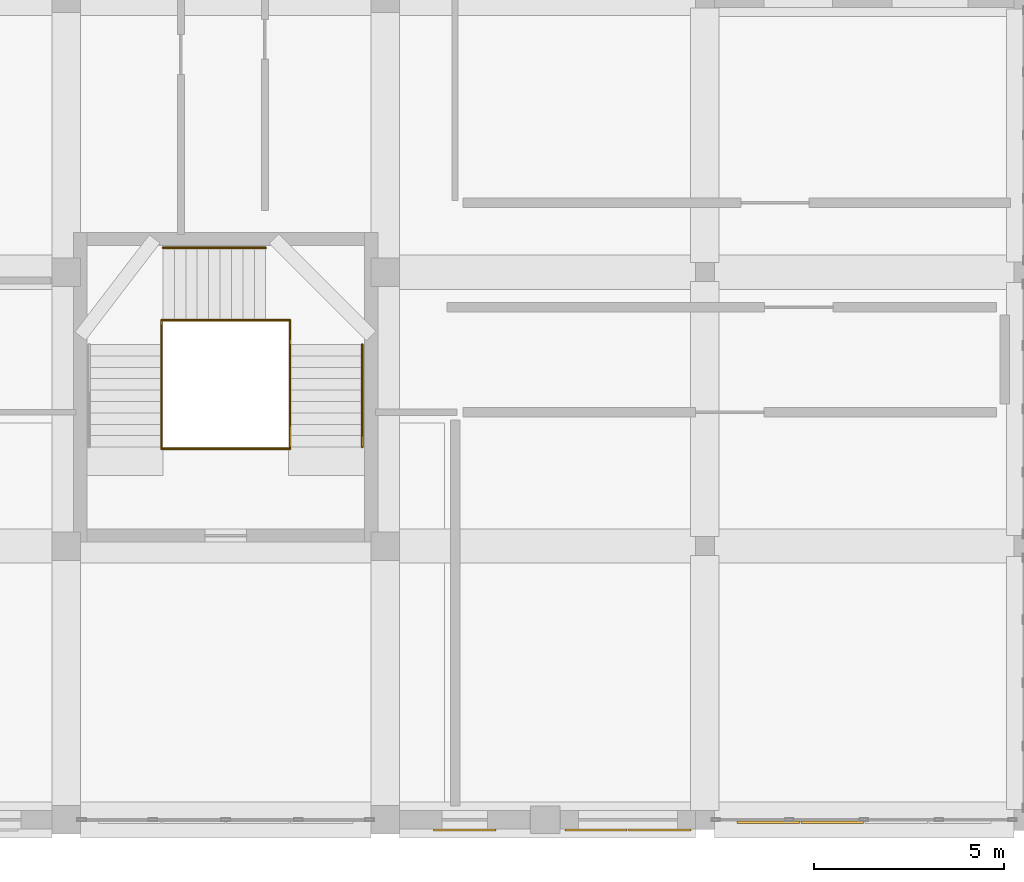
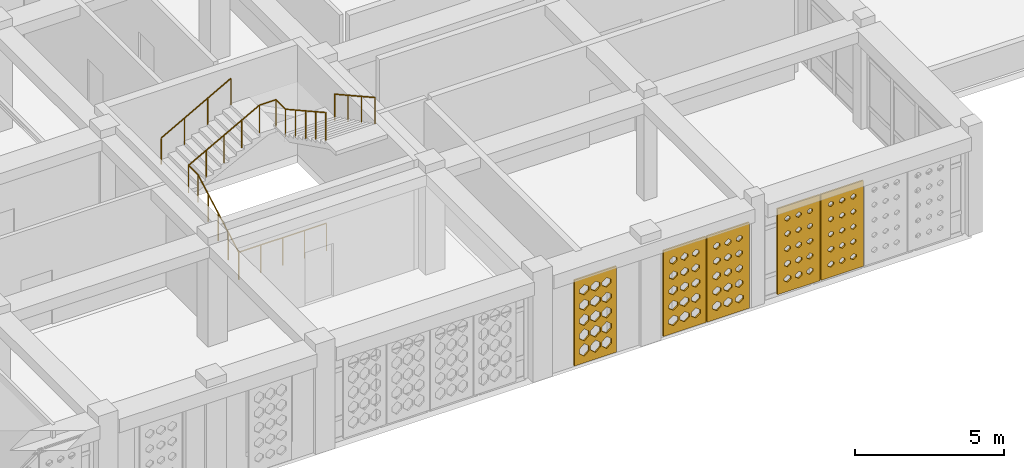
# One storey, part 106 of 111: 6 railings, 5 coverings.
"""IFC4 building model written with IfcOpenShell, lengths in metres."""

from ifc_helpers import new_model, si_unit, derived_unit, direction, frame, origin, origin_2d, place, context, subcontext, project, spatial, polyline, circle, outline, extrude, material, layer, layer_set, type_object, element, save


model = new_model("IFC4")

# Units and contexts
model_context = context("Model", 3, precision=1e-05, world=origin(), true_north=direction((0.0, 1.0)))
body_context = subcontext(model_context, "Body", "Model", "MODEL_VIEW")
ifc_project = project(units=[si_unit("LENGTHUNIT", "METRE"), si_unit("AREAUNIT", "SQUARE_METRE"), si_unit("VOLUMEUNIT", "CUBIC_METRE"), si_unit("PLANEANGLEUNIT", "RADIAN"), si_unit("MASSUNIT", "GRAM", prefix="KILO"), derived_unit("THERMALTRANSMITTANCEUNIT", [(si_unit("POWERUNIT", "WATT"), 1), (si_unit("LENGTHUNIT", "METRE"), -2), (si_unit("THERMODYNAMICTEMPERATUREUNIT", "KELVIN"), -1)])], contexts=[model_context])

# Site, building, storey
site_placement = place(None, origin())
site = spatial("IfcSite", under=ifc_project, at=site_placement, CompositionType="ELEMENT")
building_placement = place(site_placement, origin())
building = spatial("IfcBuilding", under=site, at=building_placement, Name="Veybourne Emporium", CompositionType="ELEMENT")
storey_placement = place(building_placement, frame((0.0, 0.0, 9.89990234375)))
storey = spatial("IfcBuildingStorey", under=building, at=storey_placement, Name="L02", CompositionType="ELEMENT", Elevation=9.89990234375)

# Railings
ifc_material_1 = material(Name="Brushed Stainless Steel", Category="steel")
railing_type_1 = type_object("IfcRailingType", Name="Guard_GR-01", PredefinedType="GUARDRAIL", material=ifc_material_1)
railing_1_placement = place(storey_placement, frame((128.510009765625, 9.800048828125, 0.0)))
element("IfcRailing", 1, at=railing_1_placement, inside=storey, type_object=railing_type_1, Name="L02 ST-06 stair guard 1", PredefinedType="GUARDRAIL", context=body_context, shape_type="SweptSolid", body=[
    extrude(circle(Radius=0.02392578125, at=origin_2d()), frame((0.0, 0.0, 1.1259765625), z_axis=(0.0, 0.87415354758, 0.485649642493), x_axis=(-1.0, 0.0, 0.0)), (0.0, 0.0, 1.0), 3.088623046875),
    extrude(circle(Radius=0.02392578125, at=origin_2d()), frame((0.0, 2.699951171875, 2.6259765625), z_axis=(0.0, 1.0, 0.0), x_axis=(-1.0, 0.0, 0.0)), (0.0, 0.0, 1.0), 0.639892578125),
    extrude(circle(Radius=0.02099609375, at=origin_2d()), origin(), (0.0, 0.0, 1.0), 1.101806640625),
    extrude(circle(Radius=0.02099609375, at=origin_2d()), frame((0.0, 0.675048828125, 0.375)), (0.0, 0.0, 1.0), 1.101806640625),
    extrude(circle(Radius=0.02099609375, at=origin_2d()), frame((0.0, 1.35009765625, 0.75)), (0.0, 0.0, 1.0), 1.101806640625),
    extrude(circle(Radius=0.02099609375, at=origin_2d()), frame((0.0, 2.02490234375, 1.125)), (0.0, 0.0, 1.0), 1.101806640625),
    extrude(circle(Radius=0.02099609375, at=origin_2d()), frame((0.0, 2.699951171875, 1.5)), (0.0, 0.0, 1.0), 1.101806640625),
    extrude(circle(Radius=0.02099609375, at=origin_2d()), frame((0.0, 3.33984375, 1.5)), (0.0, 0.0, 1.0), 1.101806640625),
])
railing_2_placement = place(storey_placement, frame((128.510009765625, 13.139892578125, 1.5)))
element("IfcRailing", 2, at=railing_2_placement, inside=storey, type_object=railing_type_1, Name="L02 ST-06 stair guard 2", PredefinedType="GUARDRAIL", context=body_context, shape_type="SweptSolid", body=[
    extrude(circle(Radius=0.02392578125, at=origin_2d()), frame((0.0, 0.0, 1.1259765625), z_axis=(0.87715976088, 0.0, 0.480198660861), x_axis=(0.0, 1.0, 0.0)), (0.0, 0.0, 1.0), 3.123779296875),
    extrude(circle(Radius=0.02392578125, at=origin_2d()), frame((2.739990234375, 0.0, 2.6259765625), z_axis=(1.0, 0.0, 0.0), x_axis=(0.0, 1.0, 0.0)), (0.0, 0.0, 1.0), 0.639892578125),
    extrude(circle(Radius=0.02099609375, at=origin_2d()), origin(), (0.0, 0.0, 1.0), 1.101806640625),
    extrude(circle(Radius=0.02099609375, at=origin_2d()), frame((0.68505859375, 0.0, 0.375)), (0.0, 0.0, 1.0), 1.101806640625),
    extrude(circle(Radius=0.02099609375, at=origin_2d()), frame((1.3701171875, 0.0, 0.75)), (0.0, 0.0, 1.0), 1.101806640625),
    extrude(circle(Radius=0.02099609375, at=origin_2d()), frame((2.054931640625, 0.0, 1.125)), (0.0, 0.0, 1.0), 1.101806640625),
    extrude(circle(Radius=0.02099609375, at=origin_2d()), frame((2.739990234375, 0.0, 1.5)), (0.0, 0.0, 1.0), 1.101806640625),
    extrude(circle(Radius=0.02099609375, at=origin_2d()), frame((3.3798828125, 0.0, 1.5)), (0.0, 0.0, 1.0), 1.101806640625),
])
railing_3_placement = place(storey_placement, frame((131.889892578125, 13.139892578125, 3.0)))
element("IfcRailing", 3, at=railing_3_placement, inside=storey, type_object=railing_type_1, Name="L02 ST-06 stair guard 3", PredefinedType="GUARDRAIL", context=body_context, shape_type="SweptSolid", body=[
    extrude(circle(Radius=0.02392578125, at=origin_2d()), frame((0.0, 0.0, 1.1259765625), z_axis=(0.0, -1.0, 0.0), x_axis=(1.0, 0.0, 0.0)), (0.0, 0.0, 1.0), 0.639892578125),
    extrude(circle(Radius=0.02392578125, at=origin_2d()), frame((0.0, -0.639892578125, 1.1259765625), z_axis=(0.0, -0.87415354758, 0.485649642493), x_axis=(1.0, 0.0, 0.0)), (0.0, 0.0, 1.0), 3.088623046875),
    extrude(circle(Radius=0.02099609375, at=origin_2d()), origin(), (0.0, 0.0, 1.0), 1.101806640625),
    extrude(circle(Radius=0.02099609375, at=origin_2d()), frame((0.0, -0.639892578125, 0.0)), (0.0, 0.0, 1.0), 1.101806640625),
    extrude(circle(Radius=0.02099609375, at=origin_2d()), frame((0.0, -1.31494140625, 0.375)), (0.0, 0.0, 1.0), 1.101806640625),
    extrude(circle(Radius=0.02099609375, at=origin_2d()), frame((0.0, -1.98974609375, 0.75)), (0.0, 0.0, 1.0), 1.101806640625),
    extrude(circle(Radius=0.02099609375, at=origin_2d()), frame((0.0, -2.664794921875, 1.125)), (0.0, 0.0, 1.0), 1.101806640625),
    extrude(circle(Radius=0.02099609375, at=origin_2d()), frame((0.0, -3.33984375, 1.5)), (0.0, 0.0, 1.0), 1.101806640625),
])
railing_4_placement = place(storey_placement, frame((128.510009765625, 9.760009765625, 0.0)))
element("IfcRailing", 4, at=railing_4_placement, inside=storey, type_object=railing_type_1, Name="L02 ST-06 stair guard 4", PredefinedType="GUARDRAIL", context=body_context, shape_type="SweptSolid", body=[
    extrude(circle(Radius=0.02392578125, at=origin_2d()), frame((0.0, 0.0, 1.1259765625), z_axis=(1.0, 0.0, 0.0), x_axis=(0.0, 1.0, 0.0)), (0.0, 0.0, 1.0), 3.3798828125),
    extrude(circle(Radius=0.02099609375, at=origin_2d()), origin(), (0.0, 0.0, 1.0), 1.101806640625),
    extrude(circle(Radius=0.02099609375, at=origin_2d()), frame((0.844970703125, 0.0, 0.0)), (0.0, 0.0, 1.0), 1.101806640625),
    extrude(circle(Radius=0.02099609375, at=origin_2d()), frame((1.68994140625, 0.0, 0.0)), (0.0, 0.0, 1.0), 1.101806640625),
    extrude(circle(Radius=0.02099609375, at=origin_2d()), frame((2.534912109375, 0.0, 0.0)), (0.0, 0.0, 1.0), 1.101806640625),
    extrude(circle(Radius=0.02099609375, at=origin_2d()), frame((3.3798828125, 0.0, 0.0)), (0.0, 0.0, 1.0), 1.101806640625),
])
railing_type_2 = type_object("IfcRailingType", Name="Handrail_HR-01", PredefinedType="HANDRAIL", material=ifc_material_1)
railing_5_placement = place(storey_placement, frame((128.550048828125, 15.0400390625, 1.650146484375)))
element("IfcRailing", 5, at=railing_5_placement, inside=storey, type_object=railing_type_2, Name="L02 ST-06 pitch handrail 2", PredefinedType="HANDRAIL", context=body_context, shape_type="SweptSolid", body=[
    extrude(circle(Radius=0.02392578125, at=origin_2d()), frame((0.0, 0.0, 0.92578125), z_axis=(0.87415354758, 0.0, 0.485649642493), x_axis=(0.0, 1.0, 0.0)), (0.0, 0.0, 1.0), 3.088623046875),
    extrude(circle(Radius=0.02099609375, at=origin_2d()), frame((0.0, 0.0, -0.14990234375)), (0.0, 0.0, 1.0), 1.0517578125),
    extrude(circle(Radius=0.02099609375, at=origin_2d()), frame((0.89990234375, 0.0, 0.35009765625)), (0.0, 0.0, 1.0), 1.0517578125),
    extrude(circle(Radius=0.02099609375, at=origin_2d()), frame((1.800048828125, 0.0, 0.85009765625)), (0.0, 0.0, 1.0), 1.0517578125),
    extrude(circle(Radius=0.02099609375, at=origin_2d()), frame((2.699951171875, 0.0, 1.35009765625)), (0.0, 0.0, 1.0), 1.0517578125),
])
railing_6_placement = place(storey_placement, frame((133.7900390625, 12.5, 3.150146484375)))
element("IfcRailing", 6, at=railing_6_placement, inside=storey, type_object=railing_type_2, Name="L02 ST-06 pitch handrail 3", PredefinedType="HANDRAIL", context=body_context, shape_type="SweptSolid", body=[
    extrude(circle(Radius=0.02392578125, at=origin_2d()), frame((0.0, 0.0, 0.92578125), z_axis=(0.0, -0.87415354758, 0.485649642493), x_axis=(1.0, 0.0, 0.0)), (0.0, 0.0, 1.0), 3.088623046875),
    extrude(circle(Radius=0.02099609375, at=origin_2d()), frame((0.0, 0.0, -0.14990234375)), (0.0, 0.0, 1.0), 1.0517578125),
    extrude(circle(Radius=0.02099609375, at=origin_2d()), frame((0.0, -0.89990234375, 0.35009765625)), (0.0, 0.0, 1.0), 1.0517578125),
    extrude(circle(Radius=0.02099609375, at=origin_2d()), frame((0.0, -1.800048828125, 0.85009765625)), (0.0, 0.0, 1.0), 1.0517578125),
    extrude(circle(Radius=0.02099609375, at=origin_2d()), frame((0.0, -2.699951171875, 1.35009765625)), (0.0, 0.0, 1.0), 1.0517578125),
])

# Coverings
ifc_material_2 = material(Name="Warm-White Perforated Aluminium Screen Alloy", Category="aluminium")
ifc_layer_1 = layer(ifc_material_2, 0.06005859375)
ifc_layer_set_1 = layer_set([ifc_layer_1], Name="Warm-White Perforated Aluminium Screen Alloy")
covering_type_1 = type_object("IfcCoveringType", Name="WaveScreen_SCR-01", PredefinedType="CLADDING", material=ifc_layer_set_1)
covering_1_placement = place(storey_placement, frame((141.614990234375, -0.298095703125, 1.815185546875), z_axis=(0.0, 1.0, 0.0), x_axis=(-1.0, 0.0, 0.0)))
element("IfcCovering", 7, at=covering_1_placement, inside=storey, type_object=covering_type_1, Name="L02 wave-perforated aluminium screen SCR-01 (69A.1)", PredefinedType="CLADDING", context=body_context, shape_type="SweptSolid", body=[
    extrude(outline(polyline([(-0.81982421875, -1.7548828125), (0.81982421875, -1.7548828125), (0.81982421875, 1.7548828125), (-0.81982421875, 1.7548828125), (-0.81982421875, -1.7548828125)]), holes=[polyline([(-0.433349609375, -1.050537109375), (-0.278076171875, -1.1640625), (-0.278076171875, -1.2919921875), (-0.433349609375, -1.405517578125), (-0.588623046875, -1.2919921875), (-0.588623046875, -1.1640625), (-0.433349609375, -1.050537109375)]), polyline([(-0.433349609375, -0.4501953125), (-0.289306640625, -0.554931640625), (-0.289306640625, -0.673095703125), (-0.433349609375, -0.77783203125), (-0.577392578125, -0.673095703125), (-0.577392578125, -0.554931640625), (-0.433349609375, -0.4501953125)]), polyline([(-0.433349609375, 0.151123046875), (-0.2998046875, 0.054443359375), (-0.2998046875, -0.054443359375), (-0.433349609375, -0.151123046875), (-0.56689453125, -0.054443359375), (-0.56689453125, 0.054443359375), (-0.433349609375, 0.151123046875)]), polyline([(-0.433349609375, 0.75341796875), (-0.30908203125, 0.664306640625), (-0.30908203125, 0.563720703125), (-0.433349609375, 0.474609375), (-0.557373046875, 0.563720703125), (-0.557373046875, 0.664306640625), (-0.433349609375, 0.75341796875)]), polyline([(-0.433349609375, 1.357421875), (-0.3173828125, 1.274658203125), (-0.3173828125, 1.181396484375), (-0.433349609375, 1.0986328125), (-0.54931640625, 1.181396484375), (-0.54931640625, 1.274658203125), (-0.433349609375, 1.357421875)]), polyline([(0.0, -1.044189453125), (0.160400390625, -1.161865234375), (0.160400390625, -1.294189453125), (0.0, -1.411865234375), (-0.160400390625, -1.294189453125), (-0.160400390625, -1.161865234375), (0.0, -1.044189453125)]), polyline([(0.0, -0.444091796875), (0.149169921875, -0.552734375), (0.149169921875, -0.67529296875), (0.0, -0.783935546875), (-0.149169921875, -0.67529296875), (-0.149169921875, -0.552734375), (0.0, -0.444091796875)]), polyline([(0.0, 0.15673828125), (0.13818359375, 0.056396484375), (0.13818359375, -0.056396484375), (0.0, -0.15673828125), (-0.13818359375, -0.056396484375), (-0.13818359375, 0.056396484375), (0.0, 0.15673828125)]), polyline([(0.0, 0.758544921875), (0.12841796875, 0.666015625), (0.12841796875, 0.56201171875), (0.0, 0.469482421875), (-0.12841796875, 0.56201171875), (-0.12841796875, 0.666015625), (0.0, 0.758544921875)]), polyline([(0.0, 1.36181640625), (0.119384765625, 1.276123046875), (0.119384765625, 1.1796875), (0.0, 1.09423828125), (-0.119384765625, 1.1796875), (-0.119384765625, 1.276123046875), (0.0, 1.36181640625)]), polyline([(0.433349609375, -1.03759765625), (0.59912109375, -1.159423828125), (0.59912109375, -1.29638671875), (0.433349609375, -1.418212890625), (0.267578125, -1.29638671875), (0.267578125, -1.159423828125), (0.433349609375, -1.03759765625)]), polyline([(0.433349609375, -0.437744140625), (0.58740234375, -0.550537109375), (0.58740234375, -0.677490234375), (0.433349609375, -0.790283203125), (0.279052734375, -0.677490234375), (0.279052734375, -0.550537109375), (0.433349609375, -0.437744140625)]), polyline([(0.433349609375, 0.16259765625), (0.576416015625, 0.05859375), (0.576416015625, -0.05859375), (0.433349609375, -0.16259765625), (0.290283203125, -0.05859375), (0.290283203125, 0.05859375), (0.433349609375, 0.16259765625)]), polyline([(0.433349609375, 0.763916015625), (0.56591796875, 0.66796875), (0.56591796875, 0.56005859375), (0.433349609375, 0.464111328125), (0.30078125, 0.56005859375), (0.30078125, 0.66796875), (0.433349609375, 0.763916015625)]), polyline([(0.433349609375, 1.366455078125), (0.556640625, 1.27783203125), (0.556640625, 1.17822265625), (0.433349609375, 1.089599609375), (0.31005859375, 1.17822265625), (0.31005859375, 1.27783203125), (0.433349609375, 1.366455078125)])]), origin(), (0.0, 0.0, 1.0), 0.06005859375),
])
covering_2_placement = place(storey_placement, frame((136.487548828125, -0.298095703125, 1.815185546875), z_axis=(0.0, 1.0, 0.0), x_axis=(-1.0, 0.0, 0.0)))
element("IfcCovering", 8, at=covering_2_placement, inside=storey, type_object=covering_type_1, Name="L02 wave-perforated aluminium screen SCR-01 (69B.1)", PredefinedType="CLADDING", context=body_context, shape_type="SweptSolid", body=[
    extrude(outline(polyline([(-0.81982421875, -1.7548828125), (0.81982421875, -1.7548828125), (0.81982421875, 1.7548828125), (-0.81982421875, 1.7548828125), (-0.81982421875, -1.7548828125)]), holes=[polyline([(-0.433349609375, -0.979736328125), (-0.2470703125, -1.138671875), (-0.2470703125, -1.3173828125), (-0.433349609375, -1.476318359375), (-0.61962890625, -1.3173828125), (-0.61962890625, -1.138671875), (-0.433349609375, -0.979736328125)]), polyline([(-0.433349609375, -0.377197265625), (-0.2470703125, -0.52880859375), (-0.2470703125, -0.69921875), (-0.433349609375, -0.850830078125), (-0.61962890625, -0.69921875), (-0.61962890625, -0.52880859375), (-0.433349609375, -0.377197265625)]), polyline([(-0.433349609375, 0.224365234375), (-0.2470703125, 0.080810546875), (-0.2470703125, -0.080810546875), (-0.433349609375, -0.224365234375), (-0.61962890625, -0.080810546875), (-0.61962890625, 0.080810546875), (-0.433349609375, 0.224365234375)]), polyline([(-0.433349609375, 0.824951171875), (-0.250732421875, 0.68994140625), (-0.250732421875, 0.5380859375), (-0.433349609375, 0.403076171875), (-0.615966796875, 0.5380859375), (-0.615966796875, 0.68994140625), (-0.433349609375, 0.824951171875)]), polyline([(-0.433349609375, 1.4248046875), (-0.26220703125, 1.298828125), (-0.26220703125, 1.156982421875), (-0.433349609375, 1.031005859375), (-0.6044921875, 1.156982421875), (-0.6044921875, 1.298828125), (-0.433349609375, 1.4248046875)]), polyline([(0.0, -0.975341796875), (0.186279296875, -1.136962890625), (0.186279296875, -1.319091796875), (0.0, -1.480712890625), (-0.186279296875, -1.319091796875), (-0.186279296875, -1.136962890625), (0.0, -0.975341796875)]), polyline([(0.0, -0.371826171875), (0.186279296875, -0.52685546875), (0.186279296875, -0.701171875), (0.0, -0.856201171875), (-0.186279296875, -0.701171875), (-0.186279296875, -0.52685546875), (0.0, -0.371826171875)]), polyline([(0.0, 0.230224609375), (0.186279296875, 0.0830078125), (0.186279296875, -0.0830078125), (0.0, -0.230224609375), (-0.186279296875, -0.0830078125), (-0.186279296875, 0.0830078125), (0.0, 0.230224609375)]), polyline([(0.0, 0.8310546875), (0.186279296875, 0.692138671875), (0.186279296875, 0.535888671875), (0.0, 0.39697265625), (-0.186279296875, 0.535888671875), (-0.186279296875, 0.692138671875), (0.0, 0.8310546875)]), polyline([(0.0, 1.431396484375), (0.17626953125, 1.30126953125), (0.17626953125, 1.15478515625), (0.0, 1.024658203125), (-0.17626953125, 1.15478515625), (-0.17626953125, 1.30126953125), (0.0, 1.431396484375)]), polyline([(0.433349609375, -0.97119140625), (0.61962890625, -1.135498046875), (0.61962890625, -1.320556640625), (0.433349609375, -1.48486328125), (0.2470703125, -1.320556640625), (0.2470703125, -1.135498046875), (0.433349609375, -0.97119140625)]), polyline([(0.433349609375, -0.36669921875), (0.61962890625, -0.52490234375), (0.61962890625, -0.702880859375), (0.433349609375, -0.861083984375), (0.2470703125, -0.702880859375), (0.2470703125, -0.52490234375), (0.433349609375, -0.36669921875)]), polyline([(0.433349609375, 0.23583984375), (0.61962890625, 0.0849609375), (0.61962890625, -0.0849609375), (0.433349609375, -0.23583984375), (0.2470703125, -0.0849609375), (0.2470703125, 0.0849609375), (0.433349609375, 0.23583984375)]), polyline([(0.433349609375, 0.837158203125), (0.61962890625, 0.6943359375), (0.61962890625, 0.53369140625), (0.433349609375, 0.390869140625), (0.2470703125, 0.53369140625), (0.2470703125, 0.6943359375), (0.433349609375, 0.837158203125)]), polyline([(0.433349609375, 1.4375), (0.61474609375, 1.303466796875), (0.61474609375, 1.152587890625), (0.433349609375, 1.018310546875), (0.251708984375, 1.152587890625), (0.251708984375, 1.303466796875), (0.433349609375, 1.4375)])]), origin(), (0.0, 0.0, 1.0), 0.06005859375),
])
ifc_layer_2 = layer(ifc_material_2, 0.06005859375)
ifc_layer_set_2 = layer_set([ifc_layer_2], Name="Warm-White Perforated Aluminium Screen Alloy")
covering_type_2 = type_object("IfcCoveringType", Name="WaveScreen_SCR-02", PredefinedType="CLADDING", material=ifc_layer_set_2)
covering_3_placement = place(storey_placement, frame((139.93505859375, -0.298095703125, 1.815185546875), z_axis=(0.0, 1.0, 0.0), x_axis=(-1.0, 0.0, 0.0)))
element("IfcCovering", 9, at=covering_3_placement, inside=storey, type_object=covering_type_2, Name="L02 wave-perforated aluminium screen SCR-02 (69A.2)", PredefinedType="CLADDING", context=body_context, shape_type="SweptSolid", body=[
    extrude(outline(polyline([(-0.81982421875, -1.7548828125), (0.81982421875, -1.7548828125), (0.81982421875, 1.7548828125), (-0.81982421875, 1.7548828125), (-0.81982421875, -1.7548828125)]), holes=[polyline([(-0.433349609375, -1.025634765625), (-0.2578125, -1.155029296875), (-0.2578125, -1.30078125), (-0.433349609375, -1.430419921875), (-0.60888671875, -1.30078125), (-0.60888671875, -1.155029296875), (-0.433349609375, -1.025634765625)]), polyline([(-0.433349609375, -0.42578125), (-0.269287109375, -0.546142578125), (-0.269287109375, -0.681884765625), (-0.433349609375, -0.80224609375), (-0.597412109375, -0.681884765625), (-0.597412109375, -0.546142578125), (-0.433349609375, -0.42578125)]), polyline([(-0.433349609375, 0.17431640625), (-0.28076171875, 0.062744140625), (-0.28076171875, -0.062744140625), (-0.433349609375, -0.17431640625), (-0.585693359375, -0.062744140625), (-0.585693359375, 0.062744140625), (-0.433349609375, 0.17431640625)]), polyline([(-0.433349609375, 0.774658203125), (-0.2919921875, 0.671875), (-0.2919921875, 0.55615234375), (-0.433349609375, 0.453369140625), (-0.57470703125, 0.55615234375), (-0.57470703125, 0.671875), (-0.433349609375, 0.774658203125)]), polyline([(-0.433349609375, 1.376220703125), (-0.302001953125, 1.28125), (-0.302001953125, 1.1748046875), (-0.433349609375, 1.079833984375), (-0.564453125, 1.1748046875), (-0.564453125, 1.28125), (-0.433349609375, 1.376220703125)]), polyline([(0.0, -1.019287109375), (0.180908203125, -1.15283203125), (0.180908203125, -1.302978515625), (0.0, -1.436767578125), (-0.180908203125, -1.302978515625), (-0.180908203125, -1.15283203125), (0.0, -1.019287109375)]), polyline([(0.0, -0.41943359375), (0.169189453125, -0.5439453125), (0.169189453125, -0.68408203125), (0.0, -0.80859375), (-0.169189453125, -0.68408203125), (-0.169189453125, -0.5439453125), (0.0, -0.41943359375)]), polyline([(0.0, 0.180419921875), (0.15771484375, 0.06494140625), (0.15771484375, -0.06494140625), (0.0, -0.180419921875), (-0.15771484375, -0.06494140625), (-0.15771484375, 0.06494140625), (0.0, 0.180419921875)]), polyline([(0.0, 0.78076171875), (0.146484375, 0.674072265625), (0.146484375, 0.553955078125), (0.0, 0.447265625), (-0.146484375, 0.553955078125), (-0.146484375, 0.674072265625), (0.0, 0.78076171875)]), polyline([(0.0, 1.381591796875), (0.1357421875, 1.283203125), (0.1357421875, 1.172607421875), (0.0, 1.07421875), (-0.1357421875, 1.172607421875), (-0.1357421875, 1.283203125), (0.0, 1.381591796875)]), polyline([(0.433349609375, -1.012939453125), (0.619140625, -1.150634765625), (0.619140625, -1.305419921875), (0.433349609375, -1.443115234375), (0.247314453125, -1.305419921875), (0.247314453125, -1.150634765625), (0.433349609375, -1.012939453125)]), polyline([(0.433349609375, -0.412841796875), (0.60791015625, -0.54150390625), (0.60791015625, -0.686279296875), (0.433349609375, -0.815185546875), (0.2587890625, -0.686279296875), (0.2587890625, -0.54150390625), (0.433349609375, -0.412841796875)]), polyline([(0.433349609375, 0.18701171875), (0.59619140625, 0.0673828125), (0.59619140625, -0.0673828125), (0.433349609375, -0.18701171875), (0.2705078125, -0.0673828125), (0.2705078125, 0.0673828125), (0.433349609375, 0.18701171875)]), polyline([(0.433349609375, 0.786865234375), (0.584716796875, 0.67626953125), (0.584716796875, 0.5517578125), (0.433349609375, 0.441162109375), (0.281982421875, 0.5517578125), (0.281982421875, 0.67626953125), (0.433349609375, 0.786865234375)]), polyline([(0.433349609375, 1.387451171875), (0.57373046875, 1.285400390625), (0.57373046875, 1.170654296875), (0.433349609375, 1.068603515625), (0.292724609375, 1.170654296875), (0.292724609375, 1.285400390625), (0.433349609375, 1.387451171875)])]), origin(), (0.0, 0.0, 1.0), 0.06005859375),
])
covering_4_placement = place(storey_placement, frame((146.1474609375, -0.093994140625, 1.815185546875), z_axis=(0.0, 1.0, 0.0), x_axis=(-1.0, 0.0, 0.0)))
element("IfcCovering", 10, at=covering_4_placement, inside=storey, type_object=covering_type_2, Name="L02 wave-perforated aluminium screen SCR-02 (72C.3)", PredefinedType="CLADDING", context=body_context, shape_type="SweptSolid", body=[
    extrude(outline(polyline([(-0.81982421875, -1.7548828125), (0.81982421875, -1.7548828125), (0.81982421875, 1.7548828125), (-0.81982421875, 1.7548828125), (-0.81982421875, -1.7548828125)]), holes=[polyline([(-0.433349609375, -1.1064453125), (-0.323974609375, -1.18408203125), (-0.323974609375, -1.271728515625), (-0.433349609375, -1.349609375), (-0.542724609375, -1.271728515625), (-0.542724609375, -1.18408203125), (-0.433349609375, -1.1064453125)]), polyline([(-0.433349609375, -0.49853515625), (-0.328857421875, -0.572509765625), (-0.328857421875, -0.655517578125), (-0.433349609375, -0.7294921875), (-0.537841796875, -0.655517578125), (-0.537841796875, -0.572509765625), (-0.433349609375, -0.49853515625)]), polyline([(-0.433349609375, 0.111572265625), (-0.33203125, 0.0400390625), (-0.33203125, -0.0400390625), (-0.433349609375, -0.111572265625), (-0.53466796875, -0.0400390625), (-0.53466796875, 0.0400390625), (-0.433349609375, 0.111572265625)]), polyline([(-0.433349609375, 0.72412109375), (-0.333251953125, 0.653564453125), (-0.333251953125, 0.574462890625), (-0.433349609375, 0.50390625), (-0.533203125, 0.574462890625), (-0.533203125, 0.653564453125), (-0.433349609375, 0.72412109375)]), polyline([(-0.433349609375, 1.339111328125), (-0.33251953125, 1.267822265625), (-0.33251953125, 1.18798828125), (-0.433349609375, 1.116943359375), (-0.5341796875, 1.18798828125), (-0.5341796875, 1.267822265625), (-0.433349609375, 1.339111328125)]), polyline([(0.0, -1.102783203125), (0.1123046875, -1.18310546875), (0.1123046875, -1.27294921875), (0.0, -1.35302734375), (-0.1123046875, -1.27294921875), (-0.1123046875, -1.18310546875), (0.0, -1.102783203125)]), polyline([(0.0, -0.49609375), (0.1064453125, -0.571533203125), (0.1064453125, -0.656494140625), (0.0, -0.73193359375), (-0.1064453125, -0.656494140625), (-0.1064453125, -0.571533203125), (0.0, -0.49609375)]), polyline([(0.0, 0.113037109375), (0.102294921875, 0.040771484375), (0.102294921875, -0.040771484375), (0.0, -0.113037109375), (-0.102294921875, -0.040771484375), (-0.102294921875, 0.040771484375), (0.0, 0.113037109375)]), polyline([(0.0, 0.724365234375), (0.100341796875, 0.65380859375), (0.100341796875, 0.57421875), (0.0, 0.503662109375), (-0.100341796875, 0.57421875), (-0.100341796875, 0.65380859375), (0.0, 0.724365234375)]), polyline([(0.0, 1.338134765625), (0.10009765625, 1.267578125), (0.10009765625, 1.188232421875), (0.0, 1.117919921875), (-0.10009765625, 1.188232421875), (-0.10009765625, 1.267578125), (0.0, 1.338134765625)]), polyline([(0.433349609375, -1.09912109375), (0.548828125, -1.181640625), (0.548828125, -1.2744140625), (0.433349609375, -1.35693359375), (0.31787109375, -1.2744140625), (0.31787109375, -1.181640625), (0.433349609375, -1.09912109375)]), polyline([(0.433349609375, -0.4931640625), (0.542236328125, -0.570556640625), (0.542236328125, -0.657470703125), (0.433349609375, -0.73486328125), (0.324462890625, -0.657470703125), (0.324462890625, -0.570556640625), (0.433349609375, -0.4931640625)]), polyline([(0.433349609375, 0.114990234375), (0.537353515625, 0.04150390625), (0.537353515625, -0.04150390625), (0.433349609375, -0.114990234375), (0.329345703125, -0.04150390625), (0.329345703125, 0.04150390625), (0.433349609375, 0.114990234375)]), polyline([(0.433349609375, 0.725341796875), (0.534423828125, 0.654052734375), (0.534423828125, 0.573974609375), (0.433349609375, 0.502685546875), (0.332275390625, 0.573974609375), (0.332275390625, 0.654052734375), (0.433349609375, 0.725341796875)]), polyline([(0.433349609375, 1.337890625), (0.533203125, 1.267578125), (0.533203125, 1.1884765625), (0.433349609375, 1.117919921875), (0.333251953125, 1.1884765625), (0.333251953125, 1.267578125), (0.433349609375, 1.337890625)])]), origin(), (0.0, 0.0, 1.0), 0.06005859375),
])
ifc_layer_3 = layer(ifc_material_2, 0.06005859375)
ifc_layer_set_3 = layer_set([ifc_layer_3], Name="Warm-White Perforated Aluminium Screen Alloy")
covering_type_3 = type_object("IfcCoveringType", Name="WaveScreen_SCR-03", PredefinedType="CLADDING", material=ifc_layer_set_3)
covering_5_placement = place(storey_placement, frame((144.467529296875, -0.093994140625, 1.815185546875), z_axis=(0.0, 1.0, 0.0), x_axis=(-1.0, 0.0, 0.0)))
element("IfcCovering", 11, at=covering_5_placement, inside=storey, type_object=covering_type_3, Name="L02 wave-perforated aluminium screen SCR-03 (72C.4)", PredefinedType="CLADDING", context=body_context, shape_type="SweptSolid", body=[
    extrude(outline(polyline([(-0.81982421875, -1.7548828125), (0.81982421875, -1.7548828125), (0.81982421875, 1.7548828125), (-0.81982421875, 1.7548828125), (-0.81982421875, -1.7548828125)]), holes=[polyline([(-0.433349609375, -1.0908203125), (-0.31103515625, -1.1787109375), (-0.31103515625, -1.27734375), (-0.433349609375, -1.365234375), (-0.5556640625, -1.27734375), (-0.5556640625, -1.1787109375), (-0.433349609375, -1.0908203125)]), polyline([(-0.433349609375, -0.486328125), (-0.31884765625, -0.568115234375), (-0.31884765625, -0.659912109375), (-0.433349609375, -0.74169921875), (-0.5478515625, -0.659912109375), (-0.5478515625, -0.568115234375), (-0.433349609375, -0.486328125)]), polyline([(-0.433349609375, 0.119873046875), (-0.3251953125, 0.043212890625), (-0.3251953125, -0.043212890625), (-0.433349609375, -0.119873046875), (-0.54150390625, -0.043212890625), (-0.54150390625, 0.043212890625), (-0.433349609375, 0.119873046875)]), polyline([(-0.433349609375, 0.728271484375), (-0.329833984375, 0.655029296875), (-0.329833984375, 0.572998046875), (-0.433349609375, 0.499755859375), (-0.536865234375, 0.572998046875), (-0.536865234375, 0.655029296875), (-0.433349609375, 0.728271484375)]), polyline([(-0.433349609375, 1.3388671875), (-0.33251953125, 1.267822265625), (-0.33251953125, 1.18798828125), (-0.433349609375, 1.1171875), (-0.5341796875, 1.18798828125), (-0.5341796875, 1.267822265625), (-0.433349609375, 1.3388671875)]), polyline([(0.0, -1.085693359375), (0.12646484375, -1.1767578125), (0.12646484375, -1.279296875), (0.0, -1.370361328125), (-0.12646484375, -1.279296875), (-0.12646484375, -1.1767578125), (0.0, -1.085693359375)]), polyline([(0.0, -0.482177734375), (0.117919921875, -0.56640625), (0.117919921875, -0.66162109375), (0.0, -0.745849609375), (-0.117919921875, -0.66162109375), (-0.117919921875, -0.56640625), (0.0, -0.482177734375)]), polyline([(0.0, 0.123046875), (0.11083984375, 0.044189453125), (0.11083984375, -0.044189453125), (0.0, -0.123046875), (-0.11083984375, -0.044189453125), (-0.11083984375, 0.044189453125), (0.0, 0.123046875)]), polyline([(0.0, 0.73046875), (0.105224609375, 0.656005859375), (0.105224609375, 0.572021484375), (0.0, 0.49755859375), (-0.105224609375, 0.572021484375), (-0.105224609375, 0.656005859375), (0.0, 0.73046875)]), polyline([(0.0, 1.340087890625), (0.101806640625, 1.268310546875), (0.101806640625, 1.1875), (0.0, 1.115966796875), (-0.101806640625, 1.1875), (-0.101806640625, 1.268310546875), (0.0, 1.340087890625)]), polyline([(0.433349609375, -1.08056640625), (0.56396484375, -1.1748046875), (0.56396484375, -1.281005859375), (0.433349609375, -1.37548828125), (0.302490234375, -1.281005859375), (0.302490234375, -1.1748046875), (0.433349609375, -1.08056640625)]), polyline([(0.433349609375, -0.4775390625), (0.554931640625, -0.56494140625), (0.554931640625, -0.6630859375), (0.433349609375, -0.75048828125), (0.311767578125, -0.6630859375), (0.311767578125, -0.56494140625), (0.433349609375, -0.4775390625)]), polyline([(0.433349609375, 0.126708984375), (0.547119140625, 0.045654296875), (0.547119140625, -0.045654296875), (0.433349609375, -0.126708984375), (0.319580078125, -0.045654296875), (0.319580078125, 0.045654296875), (0.433349609375, 0.126708984375)]), polyline([(0.433349609375, 0.7333984375), (0.541015625, 0.656982421875), (0.541015625, 0.571044921875), (0.433349609375, 0.49462890625), (0.32568359375, 0.571044921875), (0.32568359375, 0.656982421875), (0.433349609375, 0.7333984375)]), polyline([(0.433349609375, 1.341796875), (0.53662109375, 1.26904296875), (0.53662109375, 1.18701171875), (0.433349609375, 1.1142578125), (0.330078125, 1.18701171875), (0.330078125, 1.26904296875), (0.433349609375, 1.341796875)])]), origin(), (0.0, 0.0, 1.0), 0.06005859375),
])

save(model, "model.ifc")
